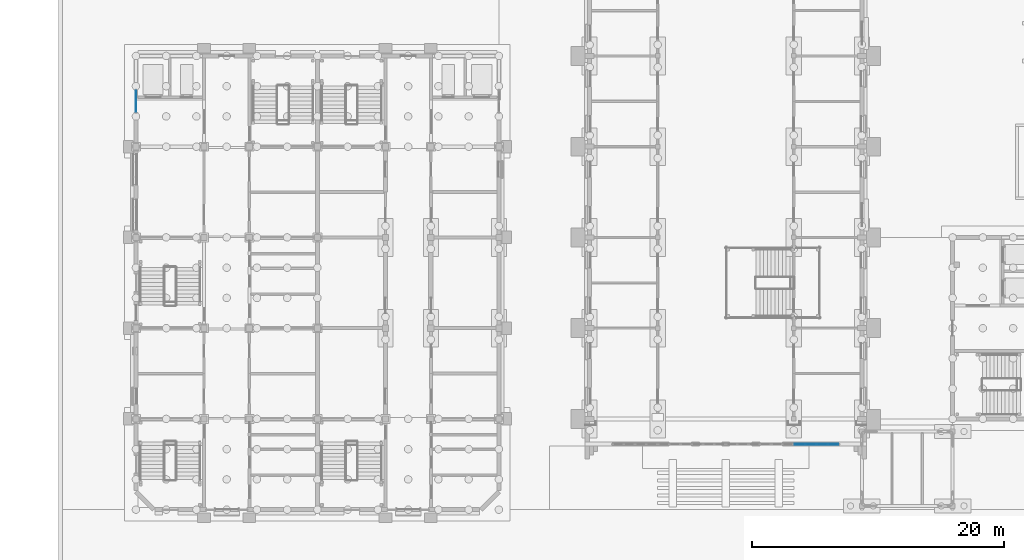
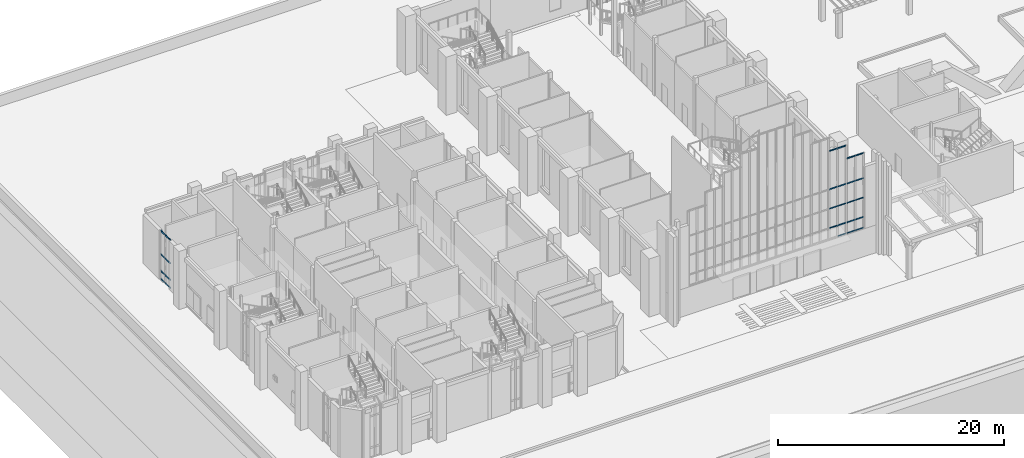
# One storey, part 18 of 84: 27 members, 3 elements without a shape of their own.
"""IFC4 building model written with IfcOpenShell, lengths in metres."""

from ifc_helpers import new_model, si_unit, direction, frame, origin, origin_2d, place, context, subcontext, project, spatial, rectangle, extrude, material, layer, layer_set, material_profile, profile_set, type_object, element, aggregate, save


model = new_model("IFC4")

# Units and contexts
model_context = context("Model", 3, precision=1e-05, world=origin(), true_north=direction((0.0, 1.0)))
body_context = subcontext(model_context, "Body", "Model", "MODEL_VIEW")
ifc_project = project(units=[si_unit("LENGTHUNIT", "METRE"), si_unit("AREAUNIT", "SQUARE_METRE"), si_unit("VOLUMEUNIT", "CUBIC_METRE"), si_unit("PLANEANGLEUNIT", "RADIAN"), si_unit("MASSUNIT", "GRAM", prefix="KILO")], contexts=[model_context])

# Site, building, storey
site_placement = place(None, origin())
site = spatial("IfcSite", under=ifc_project, at=site_placement, CompositionType="ELEMENT")
building_placement = place(site_placement, origin())
building = spatial("IfcBuilding", under=site, at=building_placement, Name="Mazhai Court Health Centre", CompositionType="ELEMENT")
storey_placement = place(building_placement, origin())
storey = spatial("IfcBuildingStorey", under=building, at=storey_placement, Name="L00", CompositionType="ELEMENT", Elevation=0.0)

# Curtain wall, members
ifc_material_1 = material(Name="Teak timber frame, glazed", Category="wood")
ifc_layer = layer(ifc_material_1, 0.10009765625)
ifc_layer_set = layer_set([ifc_layer], Name="CURTAIN WALL TIMBER 900")
curtain_wall_type = type_object("IfcCurtainWallType", Name="CURTAIN WALL TIMBER 900", PredefinedType="NOTDEFINED", material=ifc_layer_set)
curtain_wall_1_placement = place(storey_placement, origin())
curtain_wall_1 = element("IfcCurtainWall", 1, at=curtain_wall_1_placement, inside=storey, type_object=curtain_wall_type, Name="CW-V2-L00-A4", PredefinedType="NOTDEFINED")
ifc_material_2 = material(Name="Teak timber", Category="wood")
ifc_material_profile = material_profile(ifc_material_2, rectangle(XDim=0.06005859375, YDim=0.1201171875, at=origin_2d()), Name="CW TRANSOM 60x120")
ifc_profile_set = profile_set([ifc_material_profile], Name="Teak timber")
member_type = type_object("IfcMemberType", Name="CW TRANSOM 60x120", PredefinedType="USERDEFINED", material=ifc_profile_set)
member_1_placement = place(storey_placement, frame((6.199951171875, 37.760009765625, 0.030029296875), z_axis=(0.0, 1.0, 0.0), x_axis=(-1.0, 0.0, 0.0)))
member_1 = element("IfcMember", 2, at=member_1_placement, type_object=member_type, Name="CW transom 1.1", ObjectType="TRANSOM", PredefinedType="USERDEFINED", context=body_context, shape_type="SweptSolid", body=[
    extrude(rectangle(XDim=0.06005859375, YDim=0.1201171875, at=origin_2d()), origin(), (0.0, 0.0, 1.0), 0.81005859375),
])
member_2_placement = place(storey_placement, frame((6.199951171875, 37.760009765625, 0.89990234375), z_axis=(0.0, 1.0, 0.0), x_axis=(-1.0, 0.0, 0.0)))
member_2 = element("IfcMember", 3, at=member_2_placement, type_object=member_type, Name="CW transom 1.2", ObjectType="TRANSOM", PredefinedType="USERDEFINED", context=body_context, shape_type="SweptSolid", body=[
    extrude(rectangle(XDim=0.06005859375, YDim=0.1201171875, at=origin_2d()), origin(), (0.0, 0.0, 1.0), 0.81005859375),
])
member_3_placement = place(storey_placement, frame((6.199951171875, 37.760009765625, 2.699951171875), z_axis=(0.0, 1.0, 0.0), x_axis=(-1.0, 0.0, 0.0)))
member_3 = element("IfcMember", 4, at=member_3_placement, type_object=member_type, Name="CW transom 1.3", ObjectType="TRANSOM", PredefinedType="USERDEFINED", context=body_context, shape_type="SweptSolid", body=[
    extrude(rectangle(XDim=0.06005859375, YDim=0.1201171875, at=origin_2d()), origin(), (0.0, 0.0, 1.0), 0.81005859375),
])
member_4_placement = place(storey_placement, frame((6.199951171875, 37.760009765625, 5.219970703125), z_axis=(0.0, 1.0, 0.0), x_axis=(-1.0, 0.0, 0.0)))
member_4 = element("IfcMember", 5, at=member_4_placement, type_object=member_type, Name="CW transom 1.4", ObjectType="TRANSOM", PredefinedType="USERDEFINED", context=body_context, shape_type="SweptSolid", body=[
    extrude(rectangle(XDim=0.06005859375, YDim=0.1201171875, at=origin_2d()), origin(), (0.0, 0.0, 1.0), 0.81005859375),
])
member_5_placement = place(storey_placement, frame((6.199951171875, 38.6298828125, 0.030029296875), z_axis=(0.0, 1.0, 0.0), x_axis=(-1.0, 0.0, 0.0)))
member_5 = element("IfcMember", 6, at=member_5_placement, type_object=member_type, Name="CW transom 2.1", ObjectType="TRANSOM", PredefinedType="USERDEFINED", context=body_context, shape_type="SweptSolid", body=[
    extrude(rectangle(XDim=0.06005859375, YDim=0.1201171875, at=origin_2d()), origin(), (0.0, 0.0, 1.0), 0.81005859375),
])
member_6_placement = place(storey_placement, frame((6.199951171875, 38.6298828125, 0.89990234375), z_axis=(0.0, 1.0, 0.0), x_axis=(-1.0, 0.0, 0.0)))
member_6 = element("IfcMember", 7, at=member_6_placement, type_object=member_type, Name="CW transom 2.2", ObjectType="TRANSOM", PredefinedType="USERDEFINED", context=body_context, shape_type="SweptSolid", body=[
    extrude(rectangle(XDim=0.06005859375, YDim=0.1201171875, at=origin_2d()), origin(), (0.0, 0.0, 1.0), 0.81005859375),
])
member_7_placement = place(storey_placement, frame((6.199951171875, 38.6298828125, 2.699951171875), z_axis=(0.0, 1.0, 0.0), x_axis=(-1.0, 0.0, 0.0)))
member_7 = element("IfcMember", 8, at=member_7_placement, type_object=member_type, Name="CW transom 2.3", ObjectType="TRANSOM", PredefinedType="USERDEFINED", context=body_context, shape_type="SweptSolid", body=[
    extrude(rectangle(XDim=0.06005859375, YDim=0.1201171875, at=origin_2d()), origin(), (0.0, 0.0, 1.0), 0.81005859375),
])
member_8_placement = place(storey_placement, frame((6.199951171875, 38.6298828125, 5.219970703125), z_axis=(0.0, 1.0, 0.0), x_axis=(-1.0, 0.0, 0.0)))
member_8 = element("IfcMember", 9, at=member_8_placement, type_object=member_type, Name="CW transom 2.4", ObjectType="TRANSOM", PredefinedType="USERDEFINED", context=body_context, shape_type="SweptSolid", body=[
    extrude(rectangle(XDim=0.06005859375, YDim=0.1201171875, at=origin_2d()), origin(), (0.0, 0.0, 1.0), 0.81005859375),
])
aggregate(curtain_wall_1, [member_1, member_2, member_3, member_4, member_5, member_6, member_7, member_8])

curtain_wall_2_placement = place(storey_placement, origin())
curtain_wall_2 = element("IfcCurtainWall", 10, at=curtain_wall_2_placement, inside=storey, type_object=curtain_wall_type, Name="CW-V1-S09", PredefinedType="NOTDEFINED")
member_9_placement = place(storey_placement, frame((60.139892578125, 11.39990234375, 3.030029296875), z_axis=(-1.0, 0.0, 0.0), x_axis=(0.0, -1.0, 0.0)))
member_9 = element("IfcMember", 11, at=member_9_placement, type_object=member_type, Name="CW transom 1.1", ObjectType="TRANSOM", PredefinedType="USERDEFINED", context=body_context, shape_type="SweptSolid", body=[
    extrude(rectangle(XDim=0.06005859375, YDim=0.1201171875, at=origin_2d()), origin(), (0.0, 0.0, 1.0), 0.809814453125),
])
member_10_placement = place(storey_placement, frame((60.139892578125, 11.39990234375, 4.199951171875), z_axis=(-1.0, 0.0, 0.0), x_axis=(0.0, -1.0, 0.0)))
member_10 = element("IfcMember", 12, at=member_10_placement, type_object=member_type, Name="CW transom 1.2", ObjectType="TRANSOM", PredefinedType="USERDEFINED", context=body_context, shape_type="SweptSolid", body=[
    extrude(rectangle(XDim=0.06005859375, YDim=0.1201171875, at=origin_2d()), origin(), (0.0, 0.0, 1.0), 0.809814453125),
])
member_11_placement = place(storey_placement, frame((60.139892578125, 11.39990234375, 6.300048828125), z_axis=(-1.0, 0.0, 0.0), x_axis=(0.0, -1.0, 0.0)))
member_11 = element("IfcMember", 13, at=member_11_placement, type_object=member_type, Name="CW transom 1.3", ObjectType="TRANSOM", PredefinedType="USERDEFINED", context=body_context, shape_type="SweptSolid", body=[
    extrude(rectangle(XDim=0.06005859375, YDim=0.1201171875, at=origin_2d()), origin(), (0.0, 0.0, 1.0), 0.809814453125),
])
member_12_placement = place(storey_placement, frame((60.139892578125, 11.39990234375, 8.39990234375), z_axis=(-1.0, 0.0, 0.0), x_axis=(0.0, -1.0, 0.0)))
member_12 = element("IfcMember", 14, at=member_12_placement, type_object=member_type, Name="CW transom 1.4", ObjectType="TRANSOM", PredefinedType="USERDEFINED", context=body_context, shape_type="SweptSolid", body=[
    extrude(rectangle(XDim=0.06005859375, YDim=0.1201171875, at=origin_2d()), origin(), (0.0, 0.0, 1.0), 0.809814453125),
])
member_13_placement = place(storey_placement, frame((60.139892578125, 11.39990234375, 12.537109375), z_axis=(-1.0, 0.0, 0.0), x_axis=(0.0, -1.0, 0.0)))
member_13 = element("IfcMember", 15, at=member_13_placement, type_object=member_type, Name="CW transom 1.5", ObjectType="TRANSOM", PredefinedType="USERDEFINED", context=body_context, shape_type="SweptSolid", body=[
    extrude(rectangle(XDim=0.06005859375, YDim=0.1201171875, at=origin_2d()), origin(), (0.0, 0.0, 1.0), 0.809814453125),
])
member_14_placement = place(storey_placement, frame((59.27001953125, 11.39990234375, 4.199951171875), z_axis=(-1.0, 0.0, 0.0), x_axis=(0.0, -1.0, 0.0)))
member_14 = element("IfcMember", 16, at=member_14_placement, type_object=member_type, Name="CW transom 2.2", ObjectType="TRANSOM", PredefinedType="USERDEFINED", context=body_context, shape_type="SweptSolid", body=[
    extrude(rectangle(XDim=0.06005859375, YDim=0.1201171875, at=origin_2d()), origin(), (0.0, 0.0, 1.0), 0.81005859375),
])
member_15_placement = place(storey_placement, frame((59.27001953125, 11.39990234375, 6.300048828125), z_axis=(-1.0, 0.0, 0.0), x_axis=(0.0, -1.0, 0.0)))
member_15 = element("IfcMember", 17, at=member_15_placement, type_object=member_type, Name="CW transom 2.3", ObjectType="TRANSOM", PredefinedType="USERDEFINED", context=body_context, shape_type="SweptSolid", body=[
    extrude(rectangle(XDim=0.06005859375, YDim=0.1201171875, at=origin_2d()), origin(), (0.0, 0.0, 1.0), 0.81005859375),
])
member_16_placement = place(storey_placement, frame((59.27001953125, 11.39990234375, 8.39990234375), z_axis=(-1.0, 0.0, 0.0), x_axis=(0.0, -1.0, 0.0)))
member_16 = element("IfcMember", 18, at=member_16_placement, type_object=member_type, Name="CW transom 2.4", ObjectType="TRANSOM", PredefinedType="USERDEFINED", context=body_context, shape_type="SweptSolid", body=[
    extrude(rectangle(XDim=0.06005859375, YDim=0.1201171875, at=origin_2d()), origin(), (0.0, 0.0, 1.0), 0.81005859375),
])
member_17_placement = place(storey_placement, frame((59.27001953125, 11.39990234375, 12.537109375), z_axis=(-1.0, 0.0, 0.0), x_axis=(0.0, -1.0, 0.0)))
member_17 = element("IfcMember", 19, at=member_17_placement, type_object=member_type, Name="CW transom 2.5", ObjectType="TRANSOM", PredefinedType="USERDEFINED", context=body_context, shape_type="SweptSolid", body=[
    extrude(rectangle(XDim=0.06005859375, YDim=0.1201171875, at=origin_2d()), origin(), (0.0, 0.0, 1.0), 0.81005859375),
])
aggregate(curtain_wall_2, [member_9, member_10, member_11, member_12, member_13, member_14, member_15, member_16, member_17])

curtain_wall_3_placement = place(storey_placement, origin())
curtain_wall_3 = element("IfcCurtainWall", 20, at=curtain_wall_3_placement, inside=storey, type_object=curtain_wall_type, Name="CW-V1-S10", PredefinedType="NOTDEFINED")
member_18_placement = place(storey_placement, frame((61.93994140625, 11.39990234375, 3.030029296875), z_axis=(-1.0, 0.0, 0.0), x_axis=(0.0, -1.0, 0.0)))
member_18 = element("IfcMember", 21, at=member_18_placement, type_object=member_type, Name="CW transom 1.1", ObjectType="TRANSOM", PredefinedType="USERDEFINED", context=body_context, shape_type="SweptSolid", body=[
    extrude(rectangle(XDim=0.06005859375, YDim=0.1201171875, at=origin_2d()), origin(), (0.0, 0.0, 1.0), 0.81005859375),
])
member_19_placement = place(storey_placement, frame((61.93994140625, 11.39990234375, 4.199951171875), z_axis=(-1.0, 0.0, 0.0), x_axis=(0.0, -1.0, 0.0)))
member_19 = element("IfcMember", 22, at=member_19_placement, type_object=member_type, Name="CW transom 1.2", ObjectType="TRANSOM", PredefinedType="USERDEFINED", context=body_context, shape_type="SweptSolid", body=[
    extrude(rectangle(XDim=0.06005859375, YDim=0.1201171875, at=origin_2d()), origin(), (0.0, 0.0, 1.0), 0.81005859375),
])
member_20_placement = place(storey_placement, frame((61.93994140625, 11.39990234375, 6.300048828125), z_axis=(-1.0, 0.0, 0.0), x_axis=(0.0, -1.0, 0.0)))
member_20 = element("IfcMember", 23, at=member_20_placement, type_object=member_type, Name="CW transom 1.3", ObjectType="TRANSOM", PredefinedType="USERDEFINED", context=body_context, shape_type="SweptSolid", body=[
    extrude(rectangle(XDim=0.06005859375, YDim=0.1201171875, at=origin_2d()), origin(), (0.0, 0.0, 1.0), 0.81005859375),
])
member_21_placement = place(storey_placement, frame((61.93994140625, 11.39990234375, 8.39990234375), z_axis=(-1.0, 0.0, 0.0), x_axis=(0.0, -1.0, 0.0)))
member_21 = element("IfcMember", 24, at=member_21_placement, type_object=member_type, Name="CW transom 1.4", ObjectType="TRANSOM", PredefinedType="USERDEFINED", context=body_context, shape_type="SweptSolid", body=[
    extrude(rectangle(XDim=0.06005859375, YDim=0.1201171875, at=origin_2d()), origin(), (0.0, 0.0, 1.0), 0.81005859375),
])
member_22_placement = place(storey_placement, frame((61.93994140625, 11.39990234375, 11.10302734375), z_axis=(-1.0, 0.0, 0.0), x_axis=(0.0, -1.0, 0.0)))
member_22 = element("IfcMember", 25, at=member_22_placement, type_object=member_type, Name="CW transom 1.5", ObjectType="TRANSOM", PredefinedType="USERDEFINED", context=body_context, shape_type="SweptSolid", body=[
    extrude(rectangle(XDim=0.06005859375, YDim=0.1201171875, at=origin_2d()), origin(), (0.0, 0.0, 1.0), 0.81005859375),
])
member_23_placement = place(storey_placement, frame((61.070068359375, 11.39990234375, 3.030029296875), z_axis=(-1.0, 0.0, 0.0), x_axis=(0.0, -1.0, 0.0)))
member_23 = element("IfcMember", 26, at=member_23_placement, type_object=member_type, Name="CW transom 2.1", ObjectType="TRANSOM", PredefinedType="USERDEFINED", context=body_context, shape_type="SweptSolid", body=[
    extrude(rectangle(XDim=0.06005859375, YDim=0.1201171875, at=origin_2d()), origin(), (0.0, 0.0, 1.0), 0.81005859375),
])
member_24_placement = place(storey_placement, frame((61.070068359375, 11.39990234375, 4.199951171875), z_axis=(-1.0, 0.0, 0.0), x_axis=(0.0, -1.0, 0.0)))
member_24 = element("IfcMember", 27, at=member_24_placement, type_object=member_type, Name="CW transom 2.2", ObjectType="TRANSOM", PredefinedType="USERDEFINED", context=body_context, shape_type="SweptSolid", body=[
    extrude(rectangle(XDim=0.06005859375, YDim=0.1201171875, at=origin_2d()), origin(), (0.0, 0.0, 1.0), 0.81005859375),
])
member_25_placement = place(storey_placement, frame((61.070068359375, 11.39990234375, 6.300048828125), z_axis=(-1.0, 0.0, 0.0), x_axis=(0.0, -1.0, 0.0)))
member_25 = element("IfcMember", 28, at=member_25_placement, type_object=member_type, Name="CW transom 2.3", ObjectType="TRANSOM", PredefinedType="USERDEFINED", context=body_context, shape_type="SweptSolid", body=[
    extrude(rectangle(XDim=0.06005859375, YDim=0.1201171875, at=origin_2d()), origin(), (0.0, 0.0, 1.0), 0.81005859375),
])
member_26_placement = place(storey_placement, frame((61.070068359375, 11.39990234375, 8.39990234375), z_axis=(-1.0, 0.0, 0.0), x_axis=(0.0, -1.0, 0.0)))
member_26 = element("IfcMember", 29, at=member_26_placement, type_object=member_type, Name="CW transom 2.4", ObjectType="TRANSOM", PredefinedType="USERDEFINED", context=body_context, shape_type="SweptSolid", body=[
    extrude(rectangle(XDim=0.06005859375, YDim=0.1201171875, at=origin_2d()), origin(), (0.0, 0.0, 1.0), 0.81005859375),
])
member_27_placement = place(storey_placement, frame((61.070068359375, 11.39990234375, 11.10302734375), z_axis=(-1.0, 0.0, 0.0), x_axis=(0.0, -1.0, 0.0)))
member_27 = element("IfcMember", 30, at=member_27_placement, type_object=member_type, Name="CW transom 2.5", ObjectType="TRANSOM", PredefinedType="USERDEFINED", context=body_context, shape_type="SweptSolid", body=[
    extrude(rectangle(XDim=0.06005859375, YDim=0.1201171875, at=origin_2d()), origin(), (0.0, 0.0, 1.0), 0.81005859375),
])
aggregate(curtain_wall_3, [member_18, member_19, member_20, member_21, member_22, member_23, member_24, member_25, member_26, member_27])

save(model, "model.ifc")
